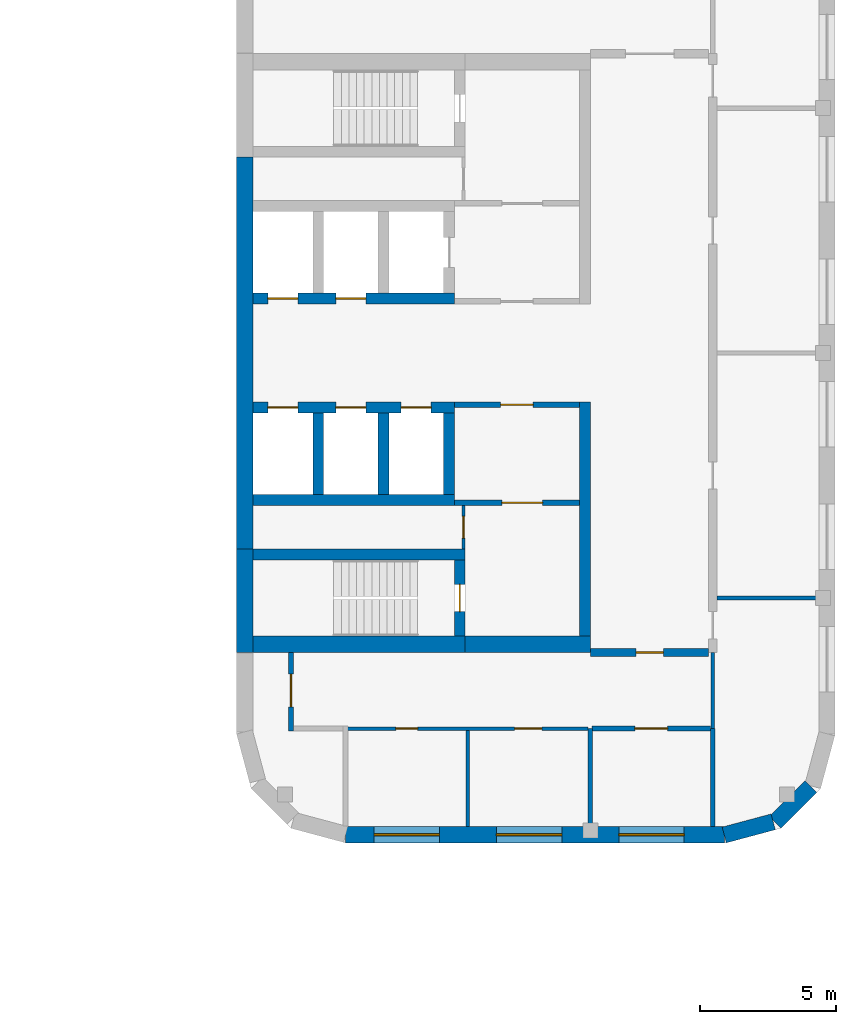
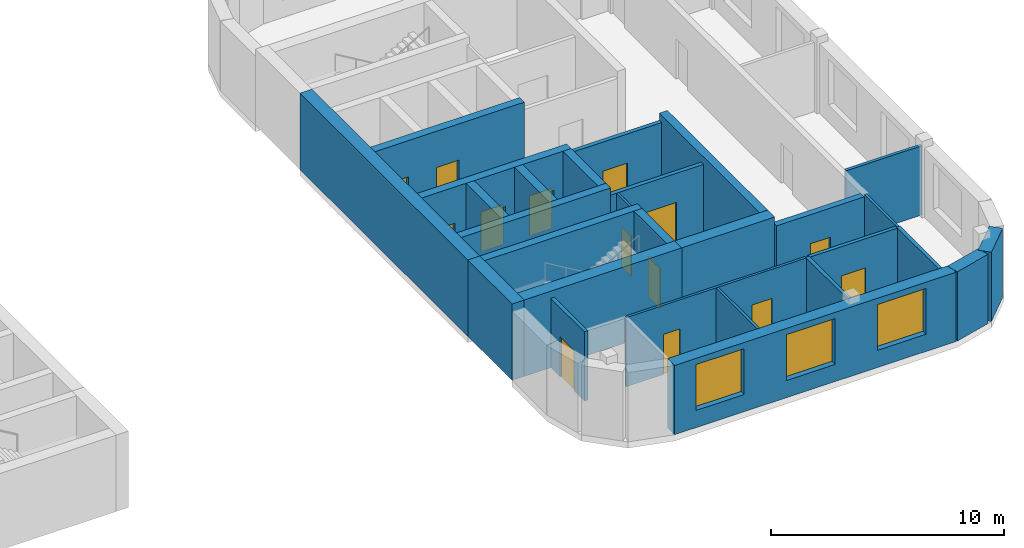
# One storey, part 7 of 10: 28 walls, 14 doors, 3 windows, 17 openings.
"""IFC4 building model written with IfcOpenShell, lengths in metres."""

from ifc_helpers import new_model, si_unit, direction, frame, frame_2d, origin, place, context, subcontext, project, spatial, rectangle, extrude, material, layer, layer_set, type_object, element, fill, save


model = new_model("IFC4")

# Units and contexts
model_context = context("Model", 3, precision=1e-05, world=origin(), true_north=direction((0.0, 1.0)))
body_context = subcontext(model_context, "Body", "Model", "MODEL_VIEW")
ifc_project = project(units=[si_unit("LENGTHUNIT", "METRE"), si_unit("AREAUNIT", "SQUARE_METRE"), si_unit("VOLUMEUNIT", "CUBIC_METRE"), si_unit("PLANEANGLEUNIT", "RADIAN"), si_unit("MASSUNIT", "GRAM", prefix="KILO")], contexts=[model_context])

# Site, building, storey
site_placement = place(None, origin())
site = spatial("IfcSite", under=ifc_project, at=site_placement, CompositionType="ELEMENT")
building_placement = place(site_placement, origin())
building = spatial("IfcBuilding", under=site, at=building_placement, Name="Skarvind Civic Tower", CompositionType="ELEMENT")
storey_placement = place(building_placement, frame((0.0, 0.0, 101.0)))
storey = spatial("IfcBuildingStorey", under=building, at=storey_placement, Name="L23", CompositionType="ELEMENT", Elevation=101.0)

# Wall, opening, door
ifc_material_1 = material(Name="Acoustic gypsum board on steel studs", Category="steel")
ifc_layer_1 = layer(ifc_material_1, 0.175048828125)
ifc_layer_set_1 = layer_set([ifc_layer_1], Name="ACOUSTIC MEETING-ROOM PARTITION 175")
wall_type_1 = type_object("IfcWallType", Name="ACOUSTIC MEETING-ROOM PARTITION 175", PredefinedType="PARTITIONING", material=ifc_layer_set_1)
wall_1_placement = place(storey_placement, frame((129.0, 114.112060546875, 0.0), z_axis=(0.0, 0.0, 1.0), x_axis=(0.0, 1.0, 0.0)))
wall_1 = element("IfcWall", 1, at=wall_1_placement, inside=storey, type_object=wall_type_1, Name="Partition 23.001", PredefinedType="PARTITIONING", context=body_context, shape_type="SweptSolid", body=[
    extrude(rectangle(XDim=2.887939453125, YDim=0.175048828125, at=frame_2d((1.44384765625, 0.0))), origin(), (0.0, 0.0, 1.0), 3.625),
])
opening_1_placement = place(wall_1_placement, frame((0.887939453125, 0.0, 0.0)))
opening_1 = element("IfcOpeningElement", 2, at=opening_1_placement, cuts=wall_1, Name="Opening L23-D110", PredefinedType="OPENING", context=body_context, shape_type="SweptSolid", body=[
    extrude(rectangle(XDim=1.199951171875, YDim=2.10009765625, at=frame_2d((0.60009765625, 1.050048828125))), frame((0.0, 0.097412109375, 0.0), z_axis=(0.0, -1.0, 0.0), x_axis=(1.0, 0.0, 0.0)), (0.0, 0.0, 1.0), 0.195068359375),
])
ifc_material_2 = material(Name="Timber door leaf", Category="wood")
door_type_1 = type_object("IfcDoorType", Name="DOOR 1200X2100 DOUBLE TIMBER", OperationType="NOTDEFINED", PredefinedType="DOOR", material=ifc_material_2)
door_1_placement = place(opening_1_placement, origin())
door_1 = element("IfcDoor", 3, at=door_1_placement, inside=storey, type_object=door_type_1, Name="Door L23-D110", OperationType="DOUBLE_DOOR_SINGLE_SWING", OverallHeight=2.10009765625, OverallWidth=1.199951171875, PredefinedType="DOOR", context=body_context, shape_type="SweptSolid", body=[
    extrude(rectangle(XDim=1.199951171875, YDim=2.10009765625, at=frame_2d((0.60009765625, 1.050048828125))), frame((0.0, 0.02490234375, 0.0), z_axis=(0.0, -1.0, 0.0), x_axis=(1.0, 0.0, 0.0)), (0.0, 0.0, 1.0), 0.050048828125),
])
fill(opening_1, door_1)

wall_2_placement = place(storey_placement, frame((144.412109375, 114.199951171875, 0.0), z_axis=(0.0, 0.0, 1.0), x_axis=(-1.0, 0.0, 0.0)))
wall_2 = element("IfcWall", 4, at=wall_2_placement, inside=storey, type_object=wall_type_1, Name="Partition 23.006", PredefinedType="PARTITIONING", context=body_context, shape_type="SweptSolid", body=[
    extrude(rectangle(XDim=4.35205078125, YDim=0.175048828125, at=frame_2d((2.176025390625, 0.0))), origin(), (0.0, 0.0, 1.0), 3.625),
])
opening_2_placement = place(wall_2_placement, frame((1.575927734375, 0.0, 0.0)))
opening_2 = element("IfcOpeningElement", 5, at=opening_2_placement, cuts=wall_2, Name="Opening L23-D109", PredefinedType="OPENING", context=body_context, shape_type="SweptSolid", body=[
    extrude(rectangle(XDim=1.199951171875, YDim=2.10009765625, at=frame_2d((0.60009765625, 1.050048828125))), frame((0.0, 0.097412109375, 0.0), z_axis=(0.0, -1.0, 0.0), x_axis=(1.0, 0.0, 0.0)), (0.0, 0.0, 1.0), 0.195068359375),
])
door_2_placement = place(opening_2_placement, origin())
door_2 = element("IfcDoor", 6, at=door_2_placement, inside=storey, type_object=door_type_1, Name="Door L23-D109", OperationType="DOUBLE_DOOR_SINGLE_SWING", OverallHeight=2.10009765625, OverallWidth=1.199951171875, PredefinedType="DOOR", context=body_context, shape_type="SweptSolid", body=[
    extrude(rectangle(XDim=1.199951171875, YDim=2.10009765625, at=frame_2d((0.60009765625, 1.050048828125))), frame((0.0, 0.02490234375, 0.0), z_axis=(0.0, -1.0, 0.0), x_axis=(1.0, 0.0, 0.0)), (0.0, 0.0, 1.0), 0.050048828125),
])
fill(opening_2, door_2)

# Walls
for number, where, z_axis, x_axis, name in (
    (7, (140.0, 110.60009765625, 0.0), (0.0, 0.0, 1.0), (0.0, 1.0, 0.0), "Partition 23.007"),
    (8, (144.5, 114.199951171875, 0.0), (0.0, 0.0, 1.0), (0.0, -1.0, 0.0), "Partition 23.009"),
):
    element("IfcWall", number, at=place(storey_placement, frame(where, z_axis=z_axis, x_axis=x_axis)), inside=storey, type_object=wall_type_1, Name=name, PredefinedType="PARTITIONING", context=body_context, shape_type="SweptSolid", body=[
        extrude(rectangle(XDim=3.599853515625, YDim=0.175048828125, at=frame_2d((1.7998046875, 0.0))), origin(), (0.0, 0.0, 1.0), 3.625),
    ])

# Wall, opening, door
ifc_material_3 = material(Name="Fire-rated gypsum board on steel studs", Category="steel")
ifc_layer_2 = layer(ifc_material_3, 0.300048828125)
ifc_layer_set_2 = layer_set([ifc_layer_2], Name="CORRIDOR WALL 300")
wall_type_2 = type_object("IfcWallType", Name="CORRIDOR WALL 300", PredefinedType="PARTITIONING", material=ifc_layer_set_2)
wall_3_placement = place(storey_placement, frame((140.0, 117.0, 0.0), z_axis=(0.0, 0.0, 1.0), x_axis=(1.0, 0.0, 0.0)))
wall_3 = element("IfcWall", 9, at=wall_3_placement, inside=storey, type_object=wall_type_2, Name="Partition 23.010", PredefinedType="PARTITIONING", context=body_context, shape_type="SweptSolid", body=[
    extrude(rectangle(XDim=4.35009765625, YDim=0.300048828125, at=frame_2d((2.175048828125, 0.0))), origin(), (0.0, 0.0, 1.0), 3.625),
])
opening_3_placement = place(wall_3_placement, frame((1.68359375, 0.0, 0.0)))
opening_3 = element("IfcOpeningElement", 10, at=opening_3_placement, cuts=wall_3, Name="Opening L23-D106", PredefinedType="OPENING", context=body_context, shape_type="SweptSolid", body=[
    extrude(rectangle(XDim=1.0, YDim=2.10009765625, at=frame_2d((0.5, 1.050048828125))), frame((0.0, 0.159912109375, 0.0), z_axis=(0.0, -1.0, 0.0), x_axis=(1.0, 0.0, 0.0)), (0.0, 0.0, 1.0), 0.320068359375),
])
ifc_material_4 = material(Name="Fire-rated timber door leaf", Category="wood")
door_type_2 = type_object("IfcDoorType", Name="FD1 1000x2100", OperationType="NOTDEFINED", PredefinedType="DOOR", material=ifc_material_4)
door_3_placement = place(opening_3_placement, origin())
door_3 = element("IfcDoor", 11, at=door_3_placement, inside=storey, type_object=door_type_2, Name="Door L23-D106", OperationType="SINGLE_SWING_LEFT", OverallHeight=2.10009765625, OverallWidth=1.0, PredefinedType="DOOR", context=body_context, shape_type="SweptSolid", body=[
    extrude(rectangle(XDim=1.0, YDim=2.10009765625, at=frame_2d((0.5, 1.050048828125))), frame((0.0, 0.02490234375, 0.0), z_axis=(0.0, -1.0, 0.0), x_axis=(1.0, 0.0, 0.0)), (0.0, 0.0, 1.0), 0.050048828125),
])
fill(opening_3, door_3)

ifc_material_5 = material(Name="Fire-rated masonry partition", Category="masonry")
ifc_layer_3 = layer(ifc_material_5, 0.199951171875)
ifc_layer_set_3 = layer_set([ifc_layer_3], Name="Core enclosure wall 200")
wall_type_3 = type_object("IfcWallType", Name="Core enclosure wall 200", PredefinedType="PARTITIONING", material=ifc_layer_set_3)
wall_4_placement = place(storey_placement, frame((139.60009765625, 126.10009765625, 0.0), z_axis=(0.0, 0.0, 1.0), x_axis=(-1.0, 0.0, 0.0)))
wall_4 = element("IfcWall", 12, at=wall_4_placement, inside=storey, type_object=wall_type_3, Name="Core wall CA", PredefinedType="PARTITIONING", context=body_context, shape_type="SweptSolid", body=[
    extrude(rectangle(XDim=4.60009765625, YDim=0.199951171875, at=frame_2d((2.300048828125, 0.0))), origin(), (0.0, 0.0, 1.0), 3.625),
])
opening_4_placement = place(wall_4_placement, frame((1.699951171875, 0.0, 0.0)))
opening_4 = element("IfcOpeningElement", 13, at=opening_4_placement, cuts=wall_4, Name="Opening D-L23-CA-10", PredefinedType="OPENING", context=body_context, shape_type="SweptSolid", body=[
    extrude(rectangle(XDim=1.199951171875, YDim=2.10009765625, at=frame_2d((0.60009765625, 1.050048828125))), frame((0.0, 0.10986328125, 0.0), z_axis=(0.0, -1.0, 0.0), x_axis=(1.0, 0.0, 0.0)), (0.0, 0.0, 1.0), 0.219970703125),
])
ifc_material_6 = material(Name="Fire-rated steel door", Category="steel")
door_type_3 = type_object("IfcDoorType", Name="Core lobby door 1200", OperationType="NOTDEFINED", PredefinedType="DOOR", material=ifc_material_6)
door_4_placement = place(opening_4_placement, origin())
door_4 = element("IfcDoor", 14, at=door_4_placement, inside=storey, type_object=door_type_3, Name="Fire door", OperationType="DOUBLE_DOOR_SINGLE_SWING", OverallHeight=2.10009765625, OverallWidth=1.199951171875, PredefinedType="DOOR", context=body_context, shape_type="SweptSolid", body=[
    extrude(rectangle(XDim=1.199951171875, YDim=2.10009765625, at=frame_2d((0.60009765625, 1.050048828125))), frame((0.0, 0.02490234375, 0.0), z_axis=(0.0, -1.0, 0.0), x_axis=(1.0, 0.0, 0.0)), (0.0, 0.0, 1.0), 0.050048828125),
])
fill(opening_4, door_4)

wall_5_placement = place(storey_placement, frame((139.60009765625, 122.5, 0.0), z_axis=(0.0, 0.0, 1.0), x_axis=(-1.0, 0.0, 0.0)))
wall_5 = element("IfcWall", 15, at=wall_5_placement, inside=storey, type_object=wall_type_3, Name="Core wall CA", PredefinedType="PARTITIONING", context=body_context, shape_type="SweptSolid", body=[
    extrude(rectangle(XDim=4.60009765625, YDim=0.199951171875, at=frame_2d((2.300048828125, 0.0))), origin(), (0.0, 0.0, 1.0), 3.625),
])
opening_5_placement = place(wall_5_placement, frame((1.35009765625, 0.0, 0.0)))
opening_5 = element("IfcOpeningElement", 16, at=opening_5_placement, cuts=wall_5, Name="Opening D-L23-CA-11", PredefinedType="OPENING", context=body_context, shape_type="SweptSolid", body=[
    extrude(rectangle(XDim=1.5, YDim=2.10009765625, at=frame_2d((0.75, 1.050048828125))), frame((0.0, 0.10986328125, 0.0), z_axis=(0.0, -1.0, 0.0), x_axis=(1.0, 0.0, 0.0)), (0.0, 0.0, 1.0), 0.219970703125),
])
door_type_4 = type_object("IfcDoorType", Name="Fire door 1500", OperationType="NOTDEFINED", PredefinedType="DOOR", material=ifc_material_6)
door_5_placement = place(opening_5_placement, origin())
door_5 = element("IfcDoor", 17, at=door_5_placement, inside=storey, type_object=door_type_4, Name="Fire door", OperationType="DOUBLE_DOOR_SINGLE_SWING", OverallHeight=2.10009765625, OverallWidth=1.5, PredefinedType="DOOR", context=body_context, shape_type="SweptSolid", body=[
    extrude(rectangle(XDim=1.5, YDim=2.10009765625, at=frame_2d((0.75, 1.050048828125))), frame((0.0, 0.02490234375, 0.0), z_axis=(0.0, -1.0, 0.0), x_axis=(1.0, 0.0, 0.0)), (0.0, 0.0, 1.0), 0.050048828125),
])
fill(opening_5, door_5)

# Wall
ifc_material_7 = material(Name="Concrete C80", Category="concrete")
ifc_layer_4 = layer(ifc_material_7, 0.39990234375)
ifc_layer_set_4 = layer_set([ifc_layer_4], Name="Core wall 400 C80")
wall_type_4 = type_object("IfcWallType", Name="Core wall 400 C80", PredefinedType="SHEAR", material=ifc_layer_set_4)
wall_6_placement = place(storey_placement, frame((127.60009765625, 120.60009765625, 0.0), z_axis=(0.0, 0.0, 1.0), x_axis=(1.0, 0.0, 0.0)))
element("IfcWall", 18, at=wall_6_placement, inside=storey, type_object=wall_type_4, Name="Core wall CA south stair inner L23", PredefinedType="SHEAR", context=body_context, shape_type="SweptSolid", body=[
    extrude(rectangle(XDim=7.7998046875, YDim=0.39990234375, at=frame_2d((3.89990234375, 0.0))), origin(), (0.0, 0.0, 1.0), 4.0),
])

# Wall, opening, door
wall_7_placement = place(storey_placement, frame((135.199951171875, 117.60009765625, 0.0), z_axis=(0.0, 0.0, 1.0), x_axis=(0.0, 1.0, 0.0)))
wall_7 = element("IfcWall", 19, at=wall_7_placement, inside=storey, type_object=wall_type_4, Name="Core wall CA south stair end L23", PredefinedType="SHEAR", context=body_context, shape_type="SweptSolid", body=[
    extrude(rectangle(XDim=2.7998046875, YDim=0.39990234375, at=frame_2d((1.39990234375, 0.0))), origin(), (0.0, 0.0, 1.0), 4.0),
])
opening_6_placement = place(wall_7_placement, frame((0.89990234375, 0.0, 0.0)))
opening_6 = element("IfcOpeningElement", 20, at=opening_6_placement, cuts=wall_7, Name="Opening D-L23-CA-12", PredefinedType="OPENING", context=body_context, shape_type="SweptSolid", body=[
    extrude(rectangle(XDim=1.0, YDim=2.10009765625, at=frame_2d((0.5, 1.050048828125))), frame((0.0, 0.2099609375, 0.0), z_axis=(0.0, -1.0, 0.0), x_axis=(1.0, 0.0, 0.0)), (0.0, 0.0, 1.0), 0.419921875),
])
door_type_5 = type_object("IfcDoorType", Name="Fire door 1000", OperationType="NOTDEFINED", PredefinedType="DOOR", material=ifc_material_6)
door_6_placement = place(opening_6_placement, origin())
door_6 = element("IfcDoor", 21, at=door_6_placement, inside=storey, type_object=door_type_5, Name="Fire door", OperationType="SINGLE_SWING_RIGHT", OverallHeight=2.10009765625, OverallWidth=1.0, PredefinedType="DOOR", context=body_context, shape_type="SweptSolid", body=[
    extrude(rectangle(XDim=1.0, YDim=2.10009765625, at=frame_2d((0.5, 1.050048828125))), frame((0.0, 0.02490234375, 0.0), z_axis=(0.0, -1.0, 0.0), x_axis=(1.0, 0.0, 0.0)), (0.0, 0.0, 1.0), 0.050048828125),
])
fill(opening_6, door_6)

# Wall, openings, doors
wall_8_placement = place(storey_placement, frame((127.60009765625, 126.0, 0.0), z_axis=(0.0, 0.0, 1.0), x_axis=(1.0, 0.0, 0.0)))
wall_8 = element("IfcWall", 22, at=wall_8_placement, inside=storey, type_object=wall_type_4, Name="Core wall CA south lift row front L23", PredefinedType="SHEAR", context=body_context, shape_type="SweptSolid", body=[
    extrude(rectangle(XDim=7.39990234375, YDim=0.39990234375, at=frame_2d((3.699951171875, 0.0))), origin(), (0.0, 0.0, 1.0), 4.0),
])
opening_7_placement = place(wall_8_placement, frame((0.550048828125, 0.0, 0.0)))
opening_7 = element("IfcOpeningElement", 23, at=opening_7_placement, cuts=wall_8, Name="Opening LD25304", PredefinedType="OPENING", context=body_context, shape_type="SweptSolid", body=[
    extrude(rectangle(XDim=1.10009765625, YDim=2.10009765625, at=frame_2d((0.550048828125, 1.050048828125))), frame((0.0, 0.2099609375, 0.0), z_axis=(0.0, -1.0, 0.0), x_axis=(1.0, 0.0, 0.0)), (0.0, 0.0, 1.0), 0.419921875),
])
opening_8_placement = place(wall_8_placement, frame((3.050048828125, 0.0, 0.0)))
opening_8 = element("IfcOpeningElement", 24, at=opening_8_placement, cuts=wall_8, Name="Opening LD25305", PredefinedType="OPENING", context=body_context, shape_type="SweptSolid", body=[
    extrude(rectangle(XDim=1.10009765625, YDim=2.10009765625, at=frame_2d((0.550048828125, 1.050048828125))), frame((0.0, 0.2099609375, 0.0), z_axis=(0.0, -1.0, 0.0), x_axis=(1.0, 0.0, 0.0)), (0.0, 0.0, 1.0), 0.419921875),
])
opening_9_placement = place(wall_8_placement, frame((5.449951171875, 0.0, 0.0)))
opening_9 = element("IfcOpeningElement", 25, at=opening_9_placement, cuts=wall_8, Name="Opening LD25306", PredefinedType="OPENING", context=body_context, shape_type="SweptSolid", body=[
    extrude(rectangle(XDim=1.10009765625, YDim=2.10009765625, at=frame_2d((0.550048828125, 1.050048828125))), frame((0.0, 0.2099609375, 0.0), z_axis=(0.0, -1.0, 0.0), x_axis=(1.0, 0.0, 0.0)), (0.0, 0.0, 1.0), 0.419921875),
])
ifc_material_8 = material(Name="Stainless steel landing door", Category="steel")
door_type_6 = type_object("IfcDoorType", Name="Lift landing door 1100", OperationType="DOUBLE_DOOR_SLIDING", PredefinedType="DOOR", material=ifc_material_8)
door_7_placement = place(opening_7_placement, origin())
door_7 = element("IfcDoor", 26, at=door_7_placement, inside=storey, type_object=door_type_6, Name="Lift landing door", OperationType="DOUBLE_DOOR_SLIDING", OverallHeight=2.10009765625, OverallWidth=1.10009765625, PredefinedType="DOOR", context=body_context, shape_type="SweptSolid", body=[
    extrude(rectangle(XDim=1.10009765625, YDim=2.10009765625, at=frame_2d((0.550048828125, 1.050048828125))), frame((0.0, 0.02490234375, 0.0), z_axis=(0.0, -1.0, 0.0), x_axis=(1.0, 0.0, 0.0)), (0.0, 0.0, 1.0), 0.050048828125),
])
fill(opening_7, door_7)
door_8_placement = place(opening_8_placement, origin())
door_8 = element("IfcDoor", 27, at=door_8_placement, inside=storey, type_object=door_type_6, Name="Lift landing door", OperationType="DOUBLE_DOOR_SLIDING", OverallHeight=2.10009765625, OverallWidth=1.10009765625, PredefinedType="DOOR", context=body_context, shape_type="SweptSolid", body=[
    extrude(rectangle(XDim=1.10009765625, YDim=2.10009765625, at=frame_2d((0.550048828125, 1.050048828125))), frame((0.0, 0.02490234375, 0.0), z_axis=(0.0, -1.0, 0.0), x_axis=(1.0, 0.0, 0.0)), (0.0, 0.0, 1.0), 0.050048828125),
])
fill(opening_8, door_8)
door_9_placement = place(opening_9_placement, origin())
door_9 = element("IfcDoor", 28, at=door_9_placement, inside=storey, type_object=door_type_6, Name="Lift landing door", OperationType="DOUBLE_DOOR_SLIDING", OverallHeight=2.10009765625, OverallWidth=1.10009765625, PredefinedType="DOOR", context=body_context, shape_type="SweptSolid", body=[
    extrude(rectangle(XDim=1.10009765625, YDim=2.10009765625, at=frame_2d((0.550048828125, 1.050048828125))), frame((0.0, 0.02490234375, 0.0), z_axis=(0.0, -1.0, 0.0), x_axis=(1.0, 0.0, 0.0)), (0.0, 0.0, 1.0), 0.050048828125),
])
fill(opening_9, door_9)

# Walls
wall_9_placement = place(storey_placement, frame((127.60009765625, 122.60009765625, 0.0), z_axis=(0.0, 0.0, 1.0), x_axis=(1.0, 0.0, 0.0)))
element("IfcWall", 29, at=wall_9_placement, inside=storey, type_object=wall_type_4, Name="Core wall CA south lift row back L23", PredefinedType="SHEAR", context=body_context, shape_type="SweptSolid", body=[
    extrude(rectangle(XDim=7.39990234375, YDim=0.39990234375, at=frame_2d((3.699951171875, 0.0))), origin(), (0.0, 0.0, 1.0), 4.0),
])
for number, where, z_axis, x_axis, name in (
    (30, (130.0, 122.800048828125, 0.0), (0.0, 0.0, 1.0), (0.0, 1.0, 0.0), "Core wall CA south lift row division 1 L23"),
    (31, (132.39990234375, 122.800048828125, 0.0), (0.0, 0.0, 1.0), (0.0, 1.0, 0.0), "Core wall CA south lift row division 2 L23"),
    (32, (134.800048828125, 122.800048828125, 0.0), (0.0, 0.0, 1.0), (0.0, 1.0, 0.0), "Core wall CA south lift row division 3 L23"),
):
    element("IfcWall", number, at=place(storey_placement, frame(where, z_axis=z_axis, x_axis=x_axis)), inside=storey, type_object=wall_type_4, Name=name, PredefinedType="SHEAR", context=body_context, shape_type="SweptSolid", body=[
        extrude(rectangle(XDim=3.0, YDim=0.39990234375, at=frame_2d((1.5, 0.0))), origin(), (0.0, 0.0, 1.0), 4.0),
    ])

# Wall, openings, doors
wall_10_placement = place(storey_placement, frame((127.60009765625, 130.0, 0.0), z_axis=(0.0, 0.0, 1.0), x_axis=(1.0, 0.0, 0.0)))
wall_10 = element("IfcWall", 33, at=wall_10_placement, inside=storey, type_object=wall_type_4, Name="Core wall CA north lift row front L23", PredefinedType="SHEAR", context=body_context, shape_type="SweptSolid", body=[
    extrude(rectangle(XDim=7.39990234375, YDim=0.39990234375, at=frame_2d((3.699951171875, 0.0))), origin(), (0.0, 0.0, 1.0), 4.0),
])
opening_10_placement = place(wall_10_placement, frame((0.550048828125, 0.0, 0.0)))
opening_10 = element("IfcOpeningElement", 34, at=opening_10_placement, cuts=wall_10, Name="Opening LD25301", PredefinedType="OPENING", context=body_context, shape_type="SweptSolid", body=[
    extrude(rectangle(XDim=1.10009765625, YDim=2.10009765625, at=frame_2d((0.550048828125, 1.050048828125))), frame((0.0, 0.2099609375, 0.0), z_axis=(0.0, -1.0, 0.0), x_axis=(1.0, 0.0, 0.0)), (0.0, 0.0, 1.0), 0.419921875),
])
opening_11_placement = place(wall_10_placement, frame((3.050048828125, 0.0, 0.0)))
opening_11 = element("IfcOpeningElement", 35, at=opening_11_placement, cuts=wall_10, Name="Opening LD25302", PredefinedType="OPENING", context=body_context, shape_type="SweptSolid", body=[
    extrude(rectangle(XDim=1.10009765625, YDim=2.10009765625, at=frame_2d((0.550048828125, 1.050048828125))), frame((0.0, 0.2099609375, 0.0), z_axis=(0.0, -1.0, 0.0), x_axis=(1.0, 0.0, 0.0)), (0.0, 0.0, 1.0), 0.419921875),
])
door_10_placement = place(opening_10_placement, origin())
door_10 = element("IfcDoor", 36, at=door_10_placement, inside=storey, type_object=door_type_6, Name="Lift landing door", OperationType="DOUBLE_DOOR_SLIDING", OverallHeight=2.10009765625, OverallWidth=1.10009765625, PredefinedType="DOOR", context=body_context, shape_type="SweptSolid", body=[
    extrude(rectangle(XDim=1.10009765625, YDim=2.10009765625, at=frame_2d((0.550048828125, 1.050048828125))), frame((0.0, 0.02490234375, 0.0), z_axis=(0.0, -1.0, 0.0), x_axis=(1.0, 0.0, 0.0)), (0.0, 0.0, 1.0), 0.050048828125),
])
fill(opening_10, door_10)
door_11_placement = place(opening_11_placement, origin())
door_11 = element("IfcDoor", 37, at=door_11_placement, inside=storey, type_object=door_type_6, Name="Lift landing door", OperationType="DOUBLE_DOOR_SLIDING", OverallHeight=2.10009765625, OverallWidth=1.10009765625, PredefinedType="DOOR", context=body_context, shape_type="SweptSolid", body=[
    extrude(rectangle(XDim=1.10009765625, YDim=2.10009765625, at=frame_2d((0.550048828125, 1.050048828125))), frame((0.0, 0.02490234375, 0.0), z_axis=(0.0, -1.0, 0.0), x_axis=(1.0, 0.0, 0.0)), (0.0, 0.0, 1.0), 0.050048828125),
])
fill(opening_11, door_11)

# Walls
wall_11_placement = place(storey_placement, frame((139.800048828125, 117.60009765625, 0.0), z_axis=(0.0, 0.0, 1.0), x_axis=(0.0, 1.0, 0.0)))
element("IfcWall", 38, at=wall_11_placement, inside=storey, type_object=wall_type_4, Name="Core wall CA south inner face L23", PredefinedType="SHEAR", context=body_context, shape_type="SweptSolid", body=[
    extrude(rectangle(XDim=8.599853515625, YDim=0.39990234375, at=frame_2d((4.2998046875, 0.0))), origin(), (0.0, 0.0, 1.0), 4.0),
])
ifc_layer_5 = layer(ifc_material_7, 0.60009765625)
ifc_layer_set_5 = layer_set([ifc_layer_5], Name="Core wall 600 C80")
wall_type_5 = type_object("IfcWallType", Name="Core wall 600 C80", PredefinedType="SHEAR", material=ifc_layer_set_5)
wall_12_placement = place(storey_placement, frame((127.300048828125, 117.0, 0.0), z_axis=(0.0, 0.0, 1.0), x_axis=(0.0, 1.0, 0.0)))
element("IfcWall", 39, at=wall_12_placement, inside=storey, type_object=wall_type_5, Name="Core wall CA tip at the south stair L23", PredefinedType="SHEAR", context=body_context, shape_type="SweptSolid", body=[
    extrude(rectangle(XDim=3.800048828125, YDim=0.60009765625, at=frame_2d((1.89990234375, 0.0))), origin(), (0.0, 0.0, 1.0), 4.0),
])
wall_13_placement = place(storey_placement, frame((127.300048828125, 120.800048828125, 0.0), z_axis=(0.0, 0.0, 1.0), x_axis=(0.0, 1.0, 0.0)))
element("IfcWall", 40, at=wall_13_placement, inside=storey, type_object=wall_type_5, Name="Core wall CA tip between the stairs L23", PredefinedType="SHEAR", context=body_context, shape_type="SweptSolid", body=[
    extrude(rectangle(XDim=14.39990234375, YDim=0.60009765625, at=frame_2d((7.199951171875, 0.0))), origin(), (0.0, 0.0, 1.0), 4.0),
])
wall_14_placement = place(storey_placement, frame((127.60009765625, 117.300048828125, 0.0), z_axis=(0.0, 0.0, 1.0), x_axis=(1.0, 0.0, 0.0)))
element("IfcWall", 41, at=wall_14_placement, inside=storey, type_object=wall_type_5, Name="Core wall CA south side at the stair L23", PredefinedType="SHEAR", context=body_context, shape_type="SweptSolid", body=[
    extrude(rectangle(XDim=7.7998046875, YDim=0.60009765625, at=frame_2d((3.89990234375, 0.0))), origin(), (0.0, 0.0, 1.0), 4.0),
])
wall_15_placement = place(storey_placement, frame((135.39990234375, 117.300048828125, 0.0), z_axis=(0.0, 0.0, 1.0), x_axis=(1.0, 0.0, 0.0)))
element("IfcWall", 42, at=wall_15_placement, inside=storey, type_object=wall_type_5, Name="Core wall CA south side L23", PredefinedType="SHEAR", context=body_context, shape_type="SweptSolid", body=[
    extrude(rectangle(XDim=4.60009765625, YDim=0.60009765625, at=frame_2d((2.300048828125, 0.0))), origin(), (0.0, 0.0, 1.0), 4.0),
])
ifc_material_9 = material(Name="Plasterboard partition on steel studs", Category="steel")
ifc_layer_6 = layer(ifc_material_9, 0.14990234375)
ifc_layer_set_6 = layer_set([ifc_layer_6], Name="PARTITION 150")
wall_type_6 = type_object("IfcWallType", Name="PARTITION 150", PredefinedType="PARTITIONING", material=ifc_layer_set_6)
wall_16_placement = place(storey_placement, frame((144.64990234375, 119.0, 0.0), z_axis=(0.0, 0.0, 1.0), x_axis=(1.0, 0.0, 0.0)))
element("IfcWall", 43, at=wall_16_placement, inside=storey, type_object=wall_type_6, Name="Partition 23.012", PredefinedType="PARTITIONING", context=body_context, shape_type="SweptSolid", body=[
    extrude(rectangle(XDim=3.75, YDim=0.14990234375, at=frame_2d((1.875, 0.0))), origin(), (0.0, 0.0, 1.0), 3.625),
])

# Wall, opening, door
ifc_layer_7 = layer(ifc_material_5, 0.125)
ifc_layer_set_7 = layer_set([ifc_layer_7], Name="Riser wall 125")
wall_type_7 = type_object("IfcWallType", Name="Riser wall 125", PredefinedType="PARTITIONING", material=ifc_layer_set_7)
wall_17_placement = place(storey_placement, frame((135.33740234375, 122.39990234375, 0.0), z_axis=(0.0, 0.0, 1.0), x_axis=(0.0, -1.0, 0.0)))
wall_17 = element("IfcWall", 44, at=wall_17_placement, inside=storey, type_object=wall_type_7, Name="Core wall CA", PredefinedType="PARTITIONING", context=body_context, shape_type="SweptSolid", body=[
    extrude(rectangle(XDim=1.599853515625, YDim=0.125, at=frame_2d((0.7998046875, 0.0))), origin(), (0.0, 0.0, 1.0), 3.625),
])
opening_12_placement = place(wall_17_placement, frame((0.39990234375, 0.0, 0.0)))
opening_12 = element("IfcOpeningElement", 45, at=opening_12_placement, cuts=wall_17, Name="Opening D-L23-CA-13", PredefinedType="OPENING", context=body_context, shape_type="SweptSolid", body=[
    extrude(rectangle(XDim=0.800048828125, YDim=2.10009765625, at=frame_2d((0.39990234375, 1.050048828125))), frame((0.0, 0.072509765625, 0.0), z_axis=(0.0, -1.0, 0.0), x_axis=(1.0, 0.0, 0.0)), (0.0, 0.0, 1.0), 0.14501953125),
])
door_type_7 = type_object("IfcDoorType", Name="Core riser door 800", OperationType="NOTDEFINED", PredefinedType="DOOR", material=ifc_material_6)
door_12_placement = place(opening_12_placement, origin())
door_12 = element("IfcDoor", 46, at=door_12_placement, inside=storey, type_object=door_type_7, Name="Riser door", OperationType="SINGLE_SWING_LEFT", OverallHeight=2.10009765625, OverallWidth=0.800048828125, PredefinedType="DOOR", context=body_context, shape_type="SweptSolid", body=[
    extrude(rectangle(XDim=0.800048828125, YDim=2.10009765625, at=frame_2d((0.39990234375, 1.050048828125))), frame((0.0, 0.02490234375, 0.0), z_axis=(0.0, -1.0, 0.0), x_axis=(1.0, 0.0, 0.0)), (0.0, 0.0, 1.0), 0.050048828125),
])
fill(opening_12, door_12)

# Wall, openings, doors
ifc_material_10 = material(Name="Moisture-resistant gypsum board on steel studs", Category="steel")
ifc_layer_8 = layer(ifc_material_10, 0.125)
ifc_layer_set_8 = layer_set([ifc_layer_8], Name="WC PARTITION 125")
wall_type_8 = type_object("IfcWallType", Name="WC PARTITION 125", PredefinedType="PARTITIONING", material=ifc_layer_set_8)
wall_18_placement = place(storey_placement, frame((139.916015625, 114.199951171875, 0.0), z_axis=(0.0, 0.0, 1.0), x_axis=(-1.0, 0.0, 0.0)))
wall_18 = element("IfcWall", 47, at=wall_18_placement, inside=storey, type_object=wall_type_8, Name="Partition 23.003", PredefinedType="PARTITIONING", context=body_context, shape_type="SweptSolid", body=[
    extrude(rectangle(XDim=8.9189453125, YDim=0.125, at=frame_2d((4.45947265625, 0.0))), origin(), (0.0, 0.0, 1.0), 3.625),
])
opening_13_placement = place(wall_18_placement, frame((1.697998046875, 0.0, 0.0)))
opening_13 = element("IfcOpeningElement", 48, at=opening_13_placement, cuts=wall_18, Name="Opening L23-D107", PredefinedType="OPENING", context=body_context, shape_type="SweptSolid", body=[
    extrude(rectangle(XDim=1.0, YDim=2.10009765625, at=frame_2d((0.5, 1.050048828125))), frame((0.0, 0.072509765625, 0.0), z_axis=(0.0, -1.0, 0.0), x_axis=(1.0, 0.0, 0.0)), (0.0, 0.0, 1.0), 0.14501953125),
])
opening_14_placement = place(wall_18_placement, frame((6.26611328125, 0.0, 0.0)))
opening_14 = element("IfcOpeningElement", 49, at=opening_14_placement, cuts=wall_18, Name="Opening L23-D108", PredefinedType="OPENING", context=body_context, shape_type="SweptSolid", body=[
    extrude(rectangle(XDim=0.800048828125, YDim=2.10009765625, at=frame_2d((0.39990234375, 1.050048828125))), frame((0.0, 0.072509765625, 0.0), z_axis=(0.0, -1.0, 0.0), x_axis=(1.0, 0.0, 0.0)), (0.0, 0.0, 1.0), 0.14501953125),
])
door_type_8 = type_object("IfcDoorType", Name="D1 1000x2100", OperationType="NOTDEFINED", PredefinedType="DOOR", material=ifc_material_2)
door_13_placement = place(opening_13_placement, origin())
door_13 = element("IfcDoor", 50, at=door_13_placement, inside=storey, type_object=door_type_8, Name="Door L23-D107", OperationType="SINGLE_SWING_LEFT", OverallHeight=2.10009765625, OverallWidth=1.0, PredefinedType="DOOR", context=body_context, shape_type="SweptSolid", body=[
    extrude(rectangle(XDim=1.0, YDim=2.10009765625, at=frame_2d((0.5, 1.050048828125))), frame((0.0, 0.02490234375, 0.0), z_axis=(0.0, -1.0, 0.0), x_axis=(1.0, 0.0, 0.0)), (0.0, 0.0, 1.0), 0.050048828125),
])
fill(opening_13, door_13)
door_type_9 = type_object("IfcDoorType", Name="DOOR 800X2100 TIMBER", OperationType="NOTDEFINED", PredefinedType="DOOR", material=ifc_material_2)
door_14_placement = place(opening_14_placement, origin())
door_14 = element("IfcDoor", 51, at=door_14_placement, inside=storey, type_object=door_type_9, Name="Door L23-D108", OperationType="SINGLE_SWING_RIGHT", OverallHeight=2.10009765625, OverallWidth=0.800048828125, PredefinedType="DOOR", context=body_context, shape_type="SweptSolid", body=[
    extrude(rectangle(XDim=0.800048828125, YDim=2.10009765625, at=frame_2d((0.39990234375, 1.050048828125))), frame((0.0, 0.02490234375, 0.0), z_axis=(0.0, -1.0, 0.0), x_axis=(1.0, 0.0, 0.0)), (0.0, 0.0, 1.0), 0.050048828125),
])
fill(opening_14, door_14)

# Walls
wall_19_placement = place(storey_placement, frame((135.5, 110.60009765625, 0.0), z_axis=(0.0, 0.0, 1.0), x_axis=(0.0, 1.0, 0.0)))
element("IfcWall", 52, at=wall_19_placement, inside=storey, type_object=wall_type_8, Name="Partition 23.005", PredefinedType="PARTITIONING", context=body_context, shape_type="SweptSolid", body=[
    extrude(rectangle(XDim=3.537841796875, YDim=0.125, at=frame_2d((1.76904296875, 0.0))), origin(), (0.0, 0.0, 1.0), 3.625),
])
wall_20_placement = place(storey_placement, frame((144.5, 117.0, 0.0), z_axis=(0.0, 0.0, 1.0), x_axis=(0.0, -1.0, 0.0)))
element("IfcWall", 53, at=wall_20_placement, inside=storey, type_object=wall_type_8, Name="Partition 23.011", PredefinedType="PARTITIONING", context=body_context, shape_type="SweptSolid", body=[
    extrude(rectangle(XDim=2.800048828125, YDim=0.125, at=frame_2d((1.39990234375, 0.0))), origin(), (0.0, 0.0, 1.0), 3.625),
])

# Wall, openings, windows
ifc_material_11 = material(Name="Limestone masonry cladding on insulated backing", Category="masonry")
ifc_layer_9 = layer(ifc_material_11, 0.60009765625)
ifc_layer_set_9 = layer_set([ifc_layer_9], Name="WX1 STONE FACADE WALL 600")
wall_type_9 = type_object("IfcWallType", Name="WX1 STONE FACADE WALL 600", PredefinedType="SOLIDWALL", material=ifc_layer_set_9)
wall_21_placement = place(storey_placement, frame((144.929931640625, 110.300048828125, 0.0), z_axis=(0.0, 0.0, 1.0), x_axis=(-1.0, 0.0, 0.0)))
wall_21 = element("IfcWall", 54, at=wall_21_placement, inside=storey, type_object=wall_type_9, Name="STONE FACADE WALL", PredefinedType="SOLIDWALL", context=body_context, shape_type="SweptSolid", body=[
    extrude(rectangle(XDim=13.929931640625, YDim=0.60009765625, at=frame_2d((6.96484375, 0.0))), origin(), (0.0, 0.0, 1.0), 3.625),
])
opening_15_placement = place(wall_21_placement, frame((1.47998046875, 0.0, 0.89990234375)))
opening_15 = element("IfcOpeningElement", 55, at=opening_15_placement, cuts=wall_21, Name="Opening WN9", PredefinedType="OPENING", context=body_context, shape_type="SweptSolid", body=[
    extrude(rectangle(XDim=2.39990234375, YDim=2.39990234375, at=frame_2d((1.199951171875, 1.199951171875))), frame((0.0, 0.31005859375, 0.0), z_axis=(0.0, -1.0, 0.0), x_axis=(1.0, 0.0, 0.0)), (0.0, 0.0, 1.0), 0.6201171875),
])
opening_16_placement = place(wall_21_placement, frame((5.97998046875, 0.0, 0.89990234375)))
opening_16 = element("IfcOpeningElement", 56, at=opening_16_placement, cuts=wall_21, Name="Opening WN9", PredefinedType="OPENING", context=body_context, shape_type="SweptSolid", body=[
    extrude(rectangle(XDim=2.39990234375, YDim=2.39990234375, at=frame_2d((1.199951171875, 1.199951171875))), frame((0.0, 0.31005859375, 0.0), z_axis=(0.0, -1.0, 0.0), x_axis=(1.0, 0.0, 0.0)), (0.0, 0.0, 1.0), 0.6201171875),
])
opening_17_placement = place(wall_21_placement, frame((10.47998046875, 0.0, 0.89990234375)))
opening_17 = element("IfcOpeningElement", 57, at=opening_17_placement, cuts=wall_21, Name="Opening WN9", PredefinedType="OPENING", context=body_context, shape_type="SweptSolid", body=[
    extrude(rectangle(XDim=2.39990234375, YDim=2.39990234375, at=frame_2d((1.199951171875, 1.199951171875))), frame((0.0, 0.31005859375, 0.0), z_axis=(0.0, -1.0, 0.0), x_axis=(1.0, 0.0, 0.0)), (0.0, 0.0, 1.0), 0.6201171875),
])
ifc_material_12 = material(Name="Timber frame, double glazing, timber-lined reveal", Category="wood")
window_type = type_object("IfcWindowType", Name="WN9 COMPANION TOWER WINDOW 2400 x 2400", PartitioningType="SINGLE_PANEL", PredefinedType="WINDOW", material=ifc_material_12)
window_1_placement = place(opening_15_placement, origin())
window_1 = element("IfcWindow", 58, at=window_1_placement, inside=storey, type_object=window_type, Name="WN9 WINDOW", OverallHeight=2.39990234375, OverallWidth=2.39990234375, PartitioningType="SINGLE_PANEL", PredefinedType="WINDOW", context=body_context, shape_type="SweptSolid", body=[
    extrude(rectangle(XDim=2.39990234375, YDim=2.39990234375, at=frame_2d((1.199951171875, 1.199951171875))), frame((0.0, 0.030029296875, 0.0), z_axis=(0.0, -1.0, 0.0), x_axis=(1.0, 0.0, 0.0)), (0.0, 0.0, 1.0), 0.06005859375),
])
fill(opening_15, window_1)
window_2_placement = place(opening_16_placement, origin())
window_2 = element("IfcWindow", 59, at=window_2_placement, inside=storey, type_object=window_type, Name="WN9 WINDOW", OverallHeight=2.39990234375, OverallWidth=2.39990234375, PartitioningType="SINGLE_PANEL", PredefinedType="WINDOW", context=body_context, shape_type="SweptSolid", body=[
    extrude(rectangle(XDim=2.39990234375, YDim=2.39990234375, at=frame_2d((1.199951171875, 1.199951171875))), frame((0.0, 0.030029296875, 0.0), z_axis=(0.0, -1.0, 0.0), x_axis=(1.0, 0.0, 0.0)), (0.0, 0.0, 1.0), 0.06005859375),
])
fill(opening_16, window_2)
window_3_placement = place(opening_17_placement, origin())
window_3 = element("IfcWindow", 60, at=window_3_placement, inside=storey, type_object=window_type, Name="WN9 WINDOW", OverallHeight=2.39990234375, OverallWidth=2.39990234375, PartitioningType="SINGLE_PANEL", PredefinedType="WINDOW", context=body_context, shape_type="SweptSolid", body=[
    extrude(rectangle(XDim=2.39990234375, YDim=2.39990234375, at=frame_2d((1.199951171875, 1.199951171875))), frame((0.0, 0.030029296875, 0.0), z_axis=(0.0, -1.0, 0.0), x_axis=(1.0, 0.0, 0.0)), (0.0, 0.0, 1.0), 0.06005859375),
])
fill(opening_17, window_3)

# Walls
for number, where, z_axis, x_axis, name in (
    (61, (146.719482421875, 110.771240234375, 0.0), (0.0, 0.0, 1.0), (-0.965938094805, -0.258773254036, 0.0), "STONE FACADE WALL"),
    (62, (148.103515625, 112.063720703125, 0.0), (0.0, 0.0, 1.0), (-0.707106781187, -0.707106781187, 0.0), "STONE FACADE WALL"),
):
    element("IfcWall", number, at=place(storey_placement, frame(where, z_axis=z_axis, x_axis=x_axis)), inside=storey, type_object=wall_type_9, Name=name, PredefinedType="SOLIDWALL", context=body_context, shape_type="SweptSolid", body=[
        extrude(rectangle(XDim=1.860595703125, YDim=0.60009765625, at=frame_2d((0.93017578125, 0.0))), origin(), (0.0, 0.0, 1.0), 3.625),
    ])

save(model, "model.ifc")
